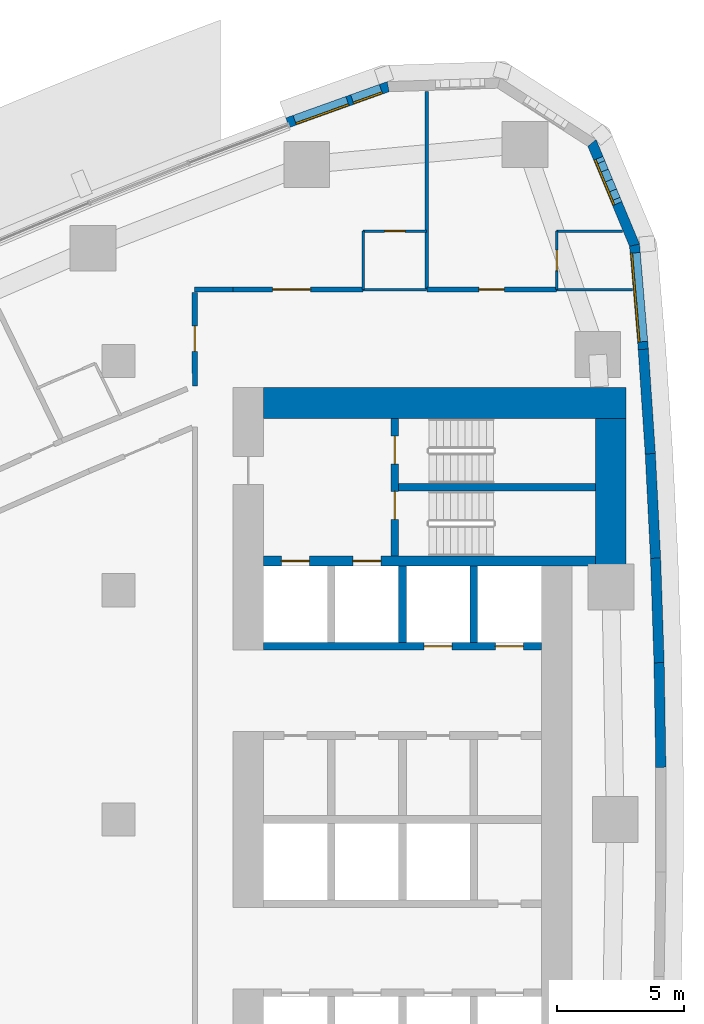
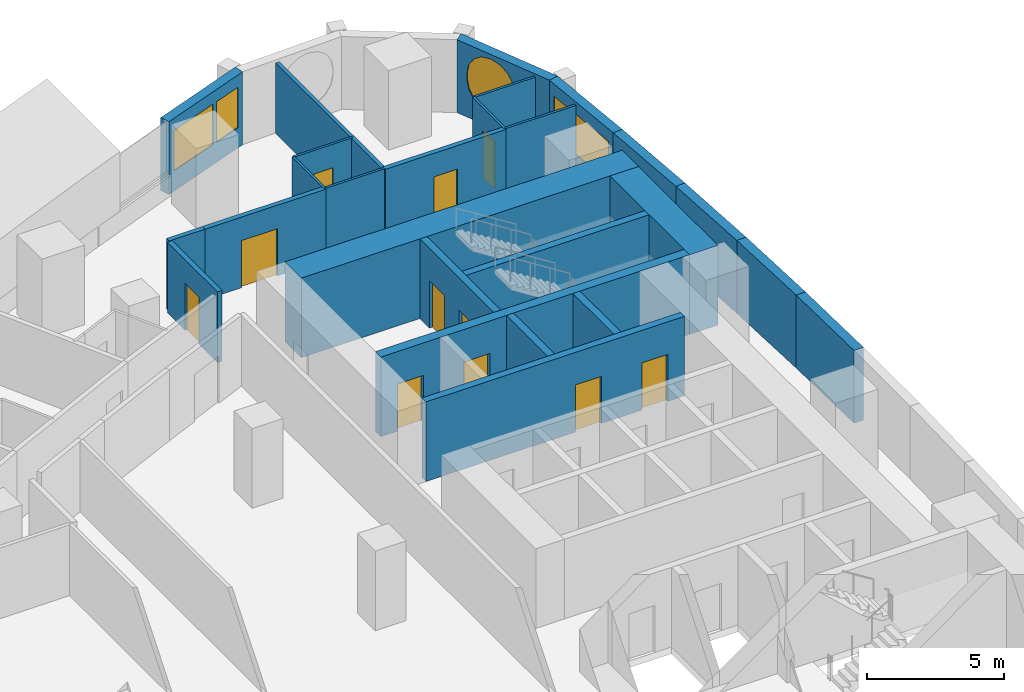
# One storey, part 13 of 19: 26 walls, 11 doors, 4 windows, 15 openings.
"""IFC4 building model written with IfcOpenShell, lengths in metres."""

from ifc_helpers import new_model, si_unit, direction, frame, frame_2d, origin, place, context, subcontext, project, spatial, polyline, rectangle, outline, extrude, material, layer, layer_set, type_object, element, fill, save


model = new_model("IFC4")

# Units and contexts
model_context = context("Model", 3, precision=1e-05, world=origin(), true_north=direction((0.0, 1.0)))
body_context = subcontext(model_context, "Body", "Model", "MODEL_VIEW")
ifc_project = project(units=[si_unit("LENGTHUNIT", "METRE"), si_unit("AREAUNIT", "SQUARE_METRE"), si_unit("VOLUMEUNIT", "CUBIC_METRE"), si_unit("PLANEANGLEUNIT", "RADIAN"), si_unit("MASSUNIT", "GRAM", prefix="KILO")], contexts=[model_context])

# Site, building, storey
site_placement = place(None, origin())
site = spatial("IfcSite", under=ifc_project, at=site_placement, CompositionType="ELEMENT")
building_placement = place(site_placement, origin())
building = spatial("IfcBuilding", under=site, at=building_placement, Name="Ostrand Prow Hotel Tower", CompositionType="ELEMENT")
storey_placement = place(building_placement, frame((0.0, 0.0, 71.550048828125)))
storey = spatial("IfcBuildingStorey", under=building, at=storey_placement, Name="L16", CompositionType="ELEMENT", Elevation=71.550048828125)

# Walls
ifc_material_1 = material(Name="Concrete C80/95", Category="concrete")
ifc_layer_1 = layer(ifc_material_1, 1.199951171875)
ifc_layer_set_1 = layer_set([ifc_layer_1], Name="Concrete C80/95")
wall_type_1 = type_object("IfcWallType", Name="Core wall 1200 C80/95", PredefinedType="SHEAR", material=ifc_layer_set_1)
wall_1_placement = place(storey_placement, frame((50.699951171875, 16.35009765625, 0.0), z_axis=(0.0, 0.0, 1.0), x_axis=(1.0, 0.0, 0.0)))
element("IfcWall", 1, at=wall_1_placement, inside=storey, type_object=wall_type_1, Name="Core wall CW-N", PredefinedType="SHEAR", context=body_context, shape_type="SweptSolid", body=[
    extrude(rectangle(XDim=14.219970703125, YDim=1.199951171875, at=frame_2d((7.10986328125, 0.0))), origin(), (0.0, 0.0, 1.0), 3.550048828125),
])
wall_2_placement = place(storey_placement, frame((64.320068359375, 9.949951171875, 0.0), z_axis=(0.0, 0.0, 1.0), x_axis=(0.0, 1.0, 0.0)))
element("IfcWall", 2, at=wall_2_placement, inside=storey, type_object=wall_type_1, Name="Core wall CW-E-N", PredefinedType="SHEAR", context=body_context, shape_type="SweptSolid", body=[
    extrude(rectangle(XDim=5.800048828125, YDim=1.199951171875, at=frame_2d((2.89990234375, 0.0))), origin(), (0.0, 0.0, 1.0), 3.550048828125),
])

# Wall, openings, doors
ifc_material_2 = material(Name="Concrete C80/95", Category="concrete")
ifc_layer_2 = layer(ifc_material_2, 0.300048828125)
ifc_layer_set_2 = layer_set([ifc_layer_2], Name="Concrete C80/95")
wall_type_2 = type_object("IfcWallType", Name="Core wall 300 C80/95", PredefinedType="SHEAR", material=ifc_layer_set_2)
wall_3_placement = place(storey_placement, frame((50.699951171875, 6.800048828125, 0.0), z_axis=(0.0, 0.0, 1.0), x_axis=(1.0, 0.0, 0.0)))
wall_3 = element("IfcWall", 3, at=wall_3_placement, inside=storey, type_object=wall_type_2, Name="Core wall PW-L2-N", PredefinedType="SHEAR", context=body_context, shape_type="SweptSolid", body=[
    extrude(rectangle(XDim=10.900146484375, YDim=0.300048828125, at=frame_2d((5.4501953125, 0.0))), origin(), (0.0, 0.0, 1.0), 3.550048828125),
])
opening_1_placement = place(wall_3_placement, frame((6.300048828125, 0.0, 0.0)))
opening_1 = element("IfcOpeningElement", 4, at=opening_1_placement, cuts=wall_3, Name="Opening LD", PredefinedType="OPENING", context=body_context, shape_type="SweptSolid", body=[
    extrude(rectangle(XDim=1.10009765625, YDim=2.10009765625, at=frame_2d((0.550048828125, 1.050048828125))), frame((0.0, 0.159912109375, 0.0), z_axis=(0.0, -1.0, 0.0), x_axis=(1.0, 0.0, 0.0)), (0.0, 0.0, 1.0), 0.320068359375),
])
opening_2_placement = place(wall_3_placement, frame((9.10009765625, 0.0, 0.0)))
opening_2 = element("IfcOpeningElement", 5, at=opening_2_placement, cuts=wall_3, Name="Opening LD", PredefinedType="OPENING", context=body_context, shape_type="SweptSolid", body=[
    extrude(rectangle(XDim=1.10009765625, YDim=2.10009765625, at=frame_2d((0.550048828125, 1.050048828125))), frame((0.0, 0.159912109375, 0.0), z_axis=(0.0, -1.0, 0.0), x_axis=(1.0, 0.0, 0.0)), (0.0, 0.0, 1.0), 0.320068359375),
])
ifc_material_3 = material(Name="Stainless steel door", Category="steel")
door_type_1 = type_object("IfcDoorType", Name="Lift landing door 1100", OperationType="DOUBLE_DOOR_SLIDING", PredefinedType="DOOR", material=ifc_material_3)
door_1_placement = place(opening_1_placement, origin())
door_1 = element("IfcDoor", 6, at=door_1_placement, inside=storey, type_object=door_type_1, Name="LIFT LANDING DOOR", OperationType="DOUBLE_DOOR_SLIDING", OverallHeight=2.10009765625, OverallWidth=1.10009765625, PredefinedType="DOOR", context=body_context, shape_type="SweptSolid", body=[
    extrude(rectangle(XDim=1.10009765625, YDim=2.10009765625, at=frame_2d((0.550048828125, 1.050048828125))), frame((0.0, 0.02490234375, 0.0), z_axis=(0.0, -1.0, 0.0), x_axis=(1.0, 0.0, 0.0)), (0.0, 0.0, 1.0), 0.050048828125),
])
fill(opening_1, door_1)
door_2_placement = place(opening_2_placement, origin())
door_2 = element("IfcDoor", 7, at=door_2_placement, inside=storey, type_object=door_type_1, Name="LIFT LANDING DOOR", OperationType="DOUBLE_DOOR_SLIDING", OverallHeight=2.10009765625, OverallWidth=1.10009765625, PredefinedType="DOOR", context=body_context, shape_type="SweptSolid", body=[
    extrude(rectangle(XDim=1.10009765625, YDim=2.10009765625, at=frame_2d((0.550048828125, 1.050048828125))), frame((0.0, 0.02490234375, 0.0), z_axis=(0.0, -1.0, 0.0), x_axis=(1.0, 0.0, 0.0)), (0.0, 0.0, 1.0), 0.050048828125),
])
fill(opening_2, door_2)

# Walls
for number, where, z_axis, x_axis, name in (
    (8, (56.14990234375, 6.949951171875, 0.0), (0.0, 0.0, 1.0), (0.0, 1.0, 0.0), "Core wall PW-R2-NA"),
    (9, (58.949951171875, 6.949951171875, 0.0), (0.0, 0.0, 1.0), (0.0, 1.0, 0.0), "Core wall PW-R3-NA"),
):
    element("IfcWall", number, at=place(storey_placement, frame(where, z_axis=z_axis, x_axis=x_axis)), inside=storey, type_object=wall_type_2, Name=name, PredefinedType="SHEAR", context=body_context, shape_type="SweptSolid", body=[
        extrude(rectangle(XDim=3.0, YDim=0.300048828125, at=frame_2d((1.5, 0.0))), origin(), (0.0, 0.0, 1.0), 3.550048828125),
    ])

# Wall, openings, doors
wall_4_placement = place(storey_placement, frame((55.85009765625, 10.35009765625, 0.0), z_axis=(0.0, 0.0, 1.0), x_axis=(0.0, 1.0, 0.0)))
wall_4 = element("IfcWall", 10, at=wall_4_placement, inside=storey, type_object=wall_type_2, Name="Core wall PW-VN", PredefinedType="SHEAR", context=body_context, shape_type="SweptSolid", body=[
    extrude(rectangle(XDim=5.39990234375, YDim=0.300048828125, at=frame_2d((2.699951171875, 0.0))), origin(), (0.0, 0.0, 1.0), 3.550048828125),
])
opening_3_placement = place(wall_4_placement, frame((1.429931640625, 0.0, 0.0)))
opening_3 = element("IfcOpeningElement", 11, at=opening_3_placement, cuts=wall_4, Name="Opening FD1", PredefinedType="OPENING", context=body_context, shape_type="SweptSolid", body=[
    extrude(rectangle(XDim=1.10009765625, YDim=2.10009765625, at=frame_2d((0.550048828125, 1.050048828125))), frame((0.0, 0.159912109375, 0.0), z_axis=(0.0, -1.0, 0.0), x_axis=(1.0, 0.0, 0.0)), (0.0, 0.0, 1.0), 0.320068359375),
])
opening_4_placement = place(wall_4_placement, frame((3.60009765625, 0.0, 0.0)))
opening_4 = element("IfcOpeningElement", 12, at=opening_4_placement, cuts=wall_4, Name="Opening FD1", PredefinedType="OPENING", context=body_context, shape_type="SweptSolid", body=[
    extrude(rectangle(XDim=1.10009765625, YDim=2.10009765625, at=frame_2d((0.550048828125, 1.050048828125))), frame((0.0, 0.159912109375, 0.0), z_axis=(0.0, -1.0, 0.0), x_axis=(1.0, 0.0, 0.0)), (0.0, 0.0, 1.0), 0.320068359375),
])
ifc_material_4 = material(Name="Steel fire door", Category="steel")
door_type_2 = type_object("IfcDoorType", Name="Fire door 1100 EI120", OperationType="SINGLE_SWING_RIGHT", PredefinedType="DOOR", material=ifc_material_4)
door_3_placement = place(opening_3_placement, origin())
door_3 = element("IfcDoor", 13, at=door_3_placement, inside=storey, type_object=door_type_2, Name="FIRE DOOR", OperationType="SINGLE_SWING_RIGHT", OverallHeight=2.10009765625, OverallWidth=1.10009765625, PredefinedType="DOOR", context=body_context, shape_type="SweptSolid", body=[
    extrude(rectangle(XDim=1.10009765625, YDim=2.10009765625, at=frame_2d((0.550048828125, 1.050048828125))), frame((0.0, 0.02490234375, 0.0), z_axis=(0.0, -1.0, 0.0), x_axis=(1.0, 0.0, 0.0)), (0.0, 0.0, 1.0), 0.050048828125),
])
fill(opening_3, door_3)
door_4_placement = place(opening_4_placement, origin())
door_4 = element("IfcDoor", 14, at=door_4_placement, inside=storey, type_object=door_type_2, Name="FIRE DOOR", OperationType="SINGLE_SWING_RIGHT", OverallHeight=2.10009765625, OverallWidth=1.10009765625, PredefinedType="DOOR", context=body_context, shape_type="SweptSolid", body=[
    extrude(rectangle(XDim=1.10009765625, YDim=2.10009765625, at=frame_2d((0.550048828125, 1.050048828125))), frame((0.0, 0.02490234375, 0.0), z_axis=(0.0, -1.0, 0.0), x_axis=(1.0, 0.0, 0.0)), (0.0, 0.0, 1.0), 0.050048828125),
])
fill(opening_4, door_4)

# Wall
wall_5_placement = place(storey_placement, frame((56.0, 13.050048828125, 0.0), z_axis=(0.0, 0.0, 1.0), x_axis=(1.0, 0.0, 0.0)))
element("IfcWall", 15, at=wall_5_placement, inside=storey, type_object=wall_type_2, Name="Core wall PW-ST13", PredefinedType="SHEAR", context=body_context, shape_type="SweptSolid", body=[
    extrude(rectangle(XDim=7.719970703125, YDim=0.300048828125, at=frame_2d((3.85986328125, 0.0))), origin(), (0.0, 0.0, 1.0), 3.550048828125),
])

# Wall, openings, doors
ifc_material_5 = material(Name="Concrete C80/95", Category="concrete")
ifc_layer_3 = layer(ifc_material_5, 0.39990234375)
ifc_layer_set_3 = layer_set([ifc_layer_3], Name="Concrete C80/95")
wall_type_3 = type_object("IfcWallType", Name="Core wall 400 C80/95", PredefinedType="SHEAR", material=ifc_layer_set_3)
wall_6_placement = place(storey_placement, frame((50.699951171875, 10.14990234375, 0.0), z_axis=(0.0, 0.0, 1.0), x_axis=(1.0, 0.0, 0.0)))
wall_6 = element("IfcWall", 16, at=wall_6_placement, inside=storey, type_object=wall_type_3, Name="Core wall PW-BN", PredefinedType="SHEAR", context=body_context, shape_type="SweptSolid", body=[
    extrude(rectangle(XDim=13.02001953125, YDim=0.39990234375, at=frame_2d((6.510009765625, 0.0))), origin(), (0.0, 0.0, 1.0), 3.550048828125),
])
opening_5_placement = place(wall_6_placement, frame((0.699951171875, 0.0, 0.0)))
opening_5 = element("IfcOpeningElement", 17, at=opening_5_placement, cuts=wall_6, Name="Opening LD", PredefinedType="OPENING", context=body_context, shape_type="SweptSolid", body=[
    extrude(rectangle(XDim=1.10009765625, YDim=2.10009765625, at=frame_2d((0.550048828125, 1.050048828125))), frame((0.0, 0.2099609375, 0.0), z_axis=(0.0, -1.0, 0.0), x_axis=(1.0, 0.0, 0.0)), (0.0, 0.0, 1.0), 0.419921875),
])
opening_6_placement = place(wall_6_placement, frame((3.5, 0.0, 0.0)))
opening_6 = element("IfcOpeningElement", 18, at=opening_6_placement, cuts=wall_6, Name="Opening LD", PredefinedType="OPENING", context=body_context, shape_type="SweptSolid", body=[
    extrude(rectangle(XDim=1.10009765625, YDim=2.10009765625, at=frame_2d((0.550048828125, 1.050048828125))), frame((0.0, 0.2099609375, 0.0), z_axis=(0.0, -1.0, 0.0), x_axis=(1.0, 0.0, 0.0)), (0.0, 0.0, 1.0), 0.419921875),
])
door_5_placement = place(opening_5_placement, origin())
door_5 = element("IfcDoor", 19, at=door_5_placement, inside=storey, type_object=door_type_1, Name="LIFT LANDING DOOR", OperationType="DOUBLE_DOOR_SLIDING", OverallHeight=2.10009765625, OverallWidth=1.10009765625, PredefinedType="DOOR", context=body_context, shape_type="SweptSolid", body=[
    extrude(rectangle(XDim=1.10009765625, YDim=2.10009765625, at=frame_2d((0.550048828125, 1.050048828125))), frame((0.0, 0.02490234375, 0.0), z_axis=(0.0, -1.0, 0.0), x_axis=(1.0, 0.0, 0.0)), (0.0, 0.0, 1.0), 0.050048828125),
])
fill(opening_5, door_5)
door_6_placement = place(opening_6_placement, origin())
door_6 = element("IfcDoor", 20, at=door_6_placement, inside=storey, type_object=door_type_1, Name="LIFT LANDING DOOR", OperationType="DOUBLE_DOOR_SLIDING", OverallHeight=2.10009765625, OverallWidth=1.10009765625, PredefinedType="DOOR", context=body_context, shape_type="SweptSolid", body=[
    extrude(rectangle(XDim=1.10009765625, YDim=2.10009765625, at=frame_2d((0.550048828125, 1.050048828125))), frame((0.0, 0.02490234375, 0.0), z_axis=(0.0, -1.0, 0.0), x_axis=(1.0, 0.0, 0.0)), (0.0, 0.0, 1.0), 0.050048828125),
])
fill(opening_6, door_6)

# Wall
ifc_material_6 = material(Name="Plasterboard partition")
ifc_layer_4 = layer(ifc_material_6, 0.10009765625)
ifc_layer_set_4 = layer_set([ifc_layer_4], Name="Plasterboard partition")
wall_type_4 = type_object("IfcWallType", Name="Partition 100 bathroom wall", PredefinedType="PARTITIONING", material=ifc_layer_set_4)
wall_7_placement = place(storey_placement, frame((54.601806640625, 20.800048828125, 0.0), z_axis=(0.0, 0.0, 1.0), x_axis=(0.0, 1.0, 0.0)))
element("IfcWall", 21, at=wall_7_placement, inside=storey, type_object=wall_type_4, Name="BATHROOM WALL", PredefinedType="PARTITIONING", context=body_context, shape_type="SweptSolid", body=[
    extrude(rectangle(XDim=2.300048828125, YDim=0.10009765625, at=frame_2d((1.14990234375, 0.0))), origin(), (0.0, 0.0, 1.0), 3.14990234375),
])

# Wall, opening, door
wall_8_placement = place(storey_placement, frame((54.601806640625, 23.10009765625, 0.0), z_axis=(0.0, 0.0, 1.0), x_axis=(1.0, 0.0, 0.0)))
wall_8 = element("IfcWall", 22, at=wall_8_placement, inside=storey, type_object=wall_type_4, Name="BATHROOM WALL", PredefinedType="PARTITIONING", context=body_context, shape_type="SweptSolid", body=[
    extrude(rectangle(XDim=2.5, YDim=0.10009765625, at=frame_2d((1.25, 0.0))), origin(), (0.0, 0.0, 1.0), 3.14990234375),
])
opening_7_placement = place(wall_8_placement, frame((0.85009765625, 0.0, 0.0)))
opening_7 = element("IfcOpeningElement", 23, at=opening_7_placement, cuts=wall_8, Name="Opening D2", PredefinedType="OPENING", context=body_context, shape_type="SweptSolid", body=[
    extrude(rectangle(XDim=0.800048828125, YDim=2.10009765625, at=frame_2d((0.39990234375, 1.050048828125))), frame((0.0, 0.06005859375, 0.0), z_axis=(0.0, -1.0, 0.0), x_axis=(1.0, 0.0, 0.0)), (0.0, 0.0, 1.0), 0.1201171875),
])
ifc_material_7 = material(Name="Timber door leaf", Category="wood")
door_type_3 = type_object("IfcDoorType", Name="Bathroom door 800", OperationType="SINGLE_SWING_LEFT", PredefinedType="DOOR", material=ifc_material_7)
door_7_placement = place(opening_7_placement, origin())
door_7 = element("IfcDoor", 24, at=door_7_placement, inside=storey, type_object=door_type_3, Name="DOOR", OperationType="SINGLE_SWING_LEFT", OverallHeight=2.10009765625, OverallWidth=0.800048828125, PredefinedType="DOOR", context=body_context, shape_type="SweptSolid", body=[
    extrude(rectangle(XDim=0.800048828125, YDim=2.10009765625, at=frame_2d((0.39990234375, 1.050048828125))), frame((0.0, 0.02490234375, 0.0), z_axis=(0.0, -1.0, 0.0), x_axis=(1.0, 0.0, 0.0)), (0.0, 0.0, 1.0), 0.050048828125),
])
fill(opening_7, door_7)

wall_9_placement = place(storey_placement, frame((62.203369140625, 20.800048828125, 0.0), z_axis=(0.0, 0.0, 1.0), x_axis=(0.0, 1.0, 0.0)))
wall_9 = element("IfcWall", 25, at=wall_9_placement, inside=storey, type_object=wall_type_4, Name="BATHROOM WALL", PredefinedType="PARTITIONING", context=body_context, shape_type="SweptSolid", body=[
    extrude(rectangle(XDim=2.300048828125, YDim=0.10009765625, at=frame_2d((1.14990234375, 0.0))), origin(), (0.0, 0.0, 1.0), 3.14990234375),
])
opening_8_placement = place(wall_9_placement, frame((0.75, 0.0, 0.0)))
opening_8 = element("IfcOpeningElement", 26, at=opening_8_placement, cuts=wall_9, Name="Opening D2", PredefinedType="OPENING", context=body_context, shape_type="SweptSolid", body=[
    extrude(rectangle(XDim=0.800048828125, YDim=2.10009765625, at=frame_2d((0.39990234375, 1.050048828125))), frame((0.0, 0.06005859375, 0.0), z_axis=(0.0, -1.0, 0.0), x_axis=(1.0, 0.0, 0.0)), (0.0, 0.0, 1.0), 0.1201171875),
])
door_8_placement = place(opening_8_placement, origin())
door_8 = element("IfcDoor", 27, at=door_8_placement, inside=storey, type_object=door_type_3, Name="DOOR", OperationType="SINGLE_SWING_LEFT", OverallHeight=2.10009765625, OverallWidth=0.800048828125, PredefinedType="DOOR", context=body_context, shape_type="SweptSolid", body=[
    extrude(rectangle(XDim=0.800048828125, YDim=2.10009765625, at=frame_2d((0.39990234375, 1.050048828125))), frame((0.0, 0.02490234375, 0.0), z_axis=(0.0, -1.0, 0.0), x_axis=(1.0, 0.0, 0.0)), (0.0, 0.0, 1.0), 0.050048828125),
])
fill(opening_8, door_8)

# Walls
wall_10_placement = place(storey_placement, frame((62.203369140625, 23.10009765625, 0.0), z_axis=(0.0, 0.0, 1.0), x_axis=(1.0, 0.0, 0.0)))
element("IfcWall", 28, at=wall_10_placement, inside=storey, type_object=wall_type_4, Name="BATHROOM WALL", PredefinedType="PARTITIONING", context=body_context, shape_type="SweptSolid", body=[
    extrude(rectangle(XDim=2.578125, YDim=0.10009765625, at=frame_2d((1.2890625, 0.0))), origin(), (0.0, 0.0, 1.0), 3.14990234375),
])
wall_11_placement = place(storey_placement, frame((57.101806640625, 20.804931640625, 0.0), z_axis=(0.0, 0.0, 1.0), x_axis=(-1.0, 0.0, 0.0)))
element("IfcWall", 29, at=wall_11_placement, inside=storey, type_object=wall_type_4, Name="BATHROOM WALL", PredefinedType="PARTITIONING", context=body_context, shape_type="SweptSolid", body=[
    extrude(rectangle(XDim=2.5, YDim=0.10009765625, at=frame_2d((1.25, 0.0))), origin(), (0.0, 0.0, 1.0), 3.14990234375),
])
wall_12_placement = place(storey_placement, frame((65.174560546875, 20.804931640625, 0.0), z_axis=(0.0, 0.0, 1.0), x_axis=(-1.0, 0.0, 0.0)))
element("IfcWall", 30, at=wall_12_placement, inside=storey, type_object=wall_type_4, Name="BATHROOM WALL", PredefinedType="PARTITIONING", context=body_context, shape_type="SweptSolid", body=[
    extrude(rectangle(XDim=2.97119140625, YDim=0.10009765625, at=frame_2d((1.485595703125, 0.0))), origin(), (0.0, 0.0, 1.0), 3.14990234375),
])
ifc_material_8 = material(Name="Plasterboard partition")
ifc_layer_5 = layer(ifc_material_8, 0.14990234375)
ifc_layer_set_5 = layer_set([ifc_layer_5], Name="Plasterboard partition")
wall_type_5 = type_object("IfcWallType", Name="Partition 150 room partition", PredefinedType="PARTITIONING", material=ifc_layer_set_5)
wall_13_placement = place(storey_placement, frame((57.101806640625, 20.800048828125, 0.0), z_axis=(0.0, 0.0, 1.0), x_axis=(0.0, 1.0, 0.0)))
element("IfcWall", 31, at=wall_13_placement, inside=storey, type_object=wall_type_5, Name="ROOM PARTITION", PredefinedType="PARTITIONING", context=body_context, shape_type="SweptSolid", body=[
    extrude(rectangle(XDim=7.786865234375, YDim=0.14990234375, at=frame_2d((3.8935546875, 0.0))), origin(), (0.0, 0.0, 1.0), 3.14990234375),
])

# Wall, opening, door
ifc_material_9 = material(Name="Plasterboard partition")
ifc_layer_6 = layer(ifc_material_9, 0.199951171875)
ifc_layer_set_6 = layer_set([ifc_layer_6], Name="Plasterboard partition")
wall_type_6 = type_object("IfcWallType", Name="Partition 200 corridor wall", PredefinedType="PARTITIONING", material=ifc_layer_set_6)
wall_14_placement = place(storey_placement, frame((54.5966796875, 20.804931640625, 0.0), z_axis=(0.0, 0.0, 1.0), x_axis=(-1.0, 0.0, 0.0)))
wall_14 = element("IfcWall", 32, at=wall_14_placement, inside=storey, type_object=wall_type_6, Name="CORRIDOR WALL", PredefinedType="PARTITIONING", context=body_context, shape_type="SweptSolid", body=[
    extrude(rectangle(XDim=5.0966796875, YDim=0.199951171875, at=frame_2d((2.54833984375, 0.0))), origin(), (0.0, 0.0, 1.0), 3.14990234375),
])
opening_9_placement = place(wall_14_placement, frame((2.04833984375, 0.0, 0.0)))
opening_9 = element("IfcOpeningElement", 33, at=opening_9_placement, cuts=wall_14, Name="Opening D15", PredefinedType="OPENING", context=body_context, shape_type="SweptSolid", body=[
    extrude(rectangle(XDim=1.5, YDim=2.10009765625, at=frame_2d((0.75, 1.050048828125))), frame((0.0, 0.10986328125, 0.0), z_axis=(0.0, -1.0, 0.0), x_axis=(1.0, 0.0, 0.0)), (0.0, 0.0, 1.0), 0.219970703125),
])
ifc_material_10 = material(Name="Timber door leaf", Category="wood")
door_type_4 = type_object("IfcDoorType", Name="Double door 1500", OperationType="DOUBLE_DOOR_SINGLE_SWING", PredefinedType="DOOR", material=ifc_material_10)
door_9_placement = place(opening_9_placement, origin())
door_9 = element("IfcDoor", 34, at=door_9_placement, inside=storey, type_object=door_type_4, Name="DOOR", OperationType="DOUBLE_DOOR_SINGLE_SWING", OverallHeight=2.10009765625, OverallWidth=1.5, PredefinedType="DOOR", context=body_context, shape_type="SweptSolid", body=[
    extrude(rectangle(XDim=1.5, YDim=2.10009765625, at=frame_2d((0.75, 1.050048828125))), frame((0.0, 0.02490234375, 0.0), z_axis=(0.0, -1.0, 0.0), x_axis=(1.0, 0.0, 0.0)), (0.0, 0.0, 1.0), 0.050048828125),
])
fill(opening_9, door_9)

wall_15_placement = place(storey_placement, frame((62.1982421875, 20.804931640625, 0.0), z_axis=(0.0, 0.0, 1.0), x_axis=(-1.0, 0.0, 0.0)))
wall_15 = element("IfcWall", 35, at=wall_15_placement, inside=storey, type_object=wall_type_6, Name="CORRIDOR WALL", PredefinedType="PARTITIONING", context=body_context, shape_type="SweptSolid", body=[
    extrude(rectangle(XDim=5.091552734375, YDim=0.199951171875, at=frame_2d((2.5458984375, 0.0))), origin(), (0.0, 0.0, 1.0), 3.14990234375),
])
opening_10_placement = place(wall_15_placement, frame((2.0458984375, 0.0, 0.0)))
opening_10 = element("IfcOpeningElement", 36, at=opening_10_placement, cuts=wall_15, Name="Opening D1", PredefinedType="OPENING", context=body_context, shape_type="SweptSolid", body=[
    extrude(rectangle(XDim=1.0, YDim=2.10009765625, at=frame_2d((0.5, 1.050048828125))), frame((0.0, 0.10986328125, 0.0), z_axis=(0.0, -1.0, 0.0), x_axis=(1.0, 0.0, 0.0)), (0.0, 0.0, 1.0), 0.219970703125),
])
ifc_material_11 = material(Name="Timber door leaf", Category="wood")
door_type_5 = type_object("IfcDoorType", Name="Guest room door 1000", OperationType="SINGLE_SWING_LEFT", PredefinedType="DOOR", material=ifc_material_11)
door_10_placement = place(opening_10_placement, origin())
door_10 = element("IfcDoor", 37, at=door_10_placement, inside=storey, type_object=door_type_5, Name="DOOR", OperationType="SINGLE_SWING_LEFT", OverallHeight=2.10009765625, OverallWidth=1.0, PredefinedType="DOOR", context=body_context, shape_type="SweptSolid", body=[
    extrude(rectangle(XDim=1.0, YDim=2.10009765625, at=frame_2d((0.5, 1.050048828125))), frame((0.0, 0.02490234375, 0.0), z_axis=(0.0, -1.0, 0.0), x_axis=(1.0, 0.0, 0.0)), (0.0, 0.0, 1.0), 0.050048828125),
])
fill(opening_10, door_10)

# Wall
wall_16_placement = place(storey_placement, frame((49.5, 20.804931640625, 0.0), z_axis=(0.0, 0.0, 1.0), x_axis=(-0.999998104399, -0.001947099992, 0.0)))
element("IfcWall", 38, at=wall_16_placement, inside=storey, type_object=wall_type_6, Name="CORRIDOR WALL", PredefinedType="PARTITIONING", context=body_context, shape_type="SweptSolid", body=[
    extrude(rectangle(XDim=1.504638671875, YDim=0.199951171875, at=frame_2d((0.75244140625, 0.0))), origin(), (0.0, 0.0, 1.0), 3.14990234375),
])

# Wall, opening, door
wall_17_placement = place(storey_placement, frame((47.99560546875, 20.681884765625, 0.0), z_axis=(0.0, 0.0, 1.0), x_axis=(0.000866955326, -0.999999624194, 0.0)))
wall_17 = element("IfcWall", 39, at=wall_17_placement, inside=storey, type_object=wall_type_6, Name="CORRIDOR WALL", PredefinedType="PARTITIONING", context=body_context, shape_type="SweptSolid", body=[
    extrude(rectangle(XDim=3.660888671875, YDim=0.199951171875, at=frame_2d((1.83056640625, 0.0))), origin(), (0.0, 0.0, 1.0), 3.14990234375),
])
opening_11_placement = place(wall_17_placement, frame((1.300048828125, 0.0, 0.0)))
opening_11 = element("IfcOpeningElement", 40, at=opening_11_placement, cuts=wall_17, Name="Opening D1R", PredefinedType="OPENING", context=body_context, shape_type="SweptSolid", body=[
    extrude(rectangle(XDim=1.0, YDim=2.10009765625, at=frame_2d((0.5, 1.050048828125))), frame((0.0, 0.10986328125, 0.0), z_axis=(0.0, -1.0, 0.0), x_axis=(1.0, 0.0, 0.0)), (0.0, 0.0, 1.0), 0.219970703125),
])
ifc_material_12 = material(Name="Timber door leaf", Category="wood")
door_type_6 = type_object("IfcDoorType", Name="Guest room door 1000 right", OperationType="SINGLE_SWING_RIGHT", PredefinedType="DOOR", material=ifc_material_12)
door_11_placement = place(opening_11_placement, origin())
door_11 = element("IfcDoor", 41, at=door_11_placement, inside=storey, type_object=door_type_6, Name="DOOR", OperationType="SINGLE_SWING_RIGHT", OverallHeight=2.10009765625, OverallWidth=1.0, PredefinedType="DOOR", context=body_context, shape_type="SweptSolid", body=[
    extrude(rectangle(XDim=1.0, YDim=2.10009765625, at=frame_2d((0.5, 1.050048828125))), frame((0.0, 0.02490234375, 0.0), z_axis=(0.0, -1.0, 0.0), x_axis=(1.0, 0.0, 0.0)), (0.0, 0.0, 1.0), 0.050048828125),
])
fill(opening_11, door_11)

# Walls
ifc_material_13 = material(Name="Precast concrete C40/50", Category="concrete")
ifc_layer_7 = layer(ifc_material_13, 0.39990234375)
ifc_layer_set_7 = layer_set([ifc_layer_7], Name="Precast concrete C40/50")
wall_type_7 = type_object("IfcWallType", Name="Stone-faced precast wall 400 mm", PredefinedType="NOTDEFINED", material=ifc_layer_set_7)
for number, where, z_axis, x_axis, name in (
    (42, (66.29150390625, 2.052490234375, 0.0), (0.0, 0.0, 1.0), (-0.016830829972, 0.999858351549, 0.0), "Stone-faced wall back 11"),
    (43, (66.222412109375, 6.156982421875, 0.0), (0.0, 0.0, 1.0), (-0.033542554696, 0.999437290191, 0.0), "Stone-faced wall back 12"),
    (44, (66.084716796875, 10.259765625, 0.0), (0.0, 0.0, 1.0), (-0.050314326423, 0.998733432181, 0.0), "Stone-faced wall back 13"),
    (45, (65.878173828125, 14.359619140625, 0.0), (0.0, 0.0, 1.0), (-0.067087430225, 0.997747100575, 0.0), "Stone-faced wall back 14"),
):
    element("IfcWall", number, at=place(storey_placement, frame(where, z_axis=z_axis, x_axis=x_axis)), inside=storey, type_object=wall_type_7, Name=name, PredefinedType="NOTDEFINED", context=body_context, shape_type="SweptSolid", body=[
        extrude(outline(polyline([(-0.001708984375, -0.199951171875), (4.106689453125, -0.199951171875), (4.103271484375, 0.199951171875), (0.001708984375, 0.199951171875), (-0.001708984375, -0.199951171875)])), origin(), (0.0, 0.0, 1.0), 3.25),
    ])

# Wall, opening, window
wall_18_placement = place(storey_placement, frame((65.602783203125, 18.455322265625, 0.0), z_axis=(0.0, 0.0, 1.0), x_axis=(-0.083793550906, 0.996483136248, 0.0)))
wall_18 = element("IfcWall", 46, at=wall_18_placement, inside=storey, type_object=wall_type_7, Name="Stone-faced wall back 15", PredefinedType="NOTDEFINED", context=body_context, shape_type="SweptSolid", body=[
    extrude(outline(polyline([(-0.001708984375, -0.199951171875), (4.136474609375, -0.199951171875), (4.073974609375, 0.199951171875), (0.001708984375, 0.199951171875), (-0.001708984375, -0.199951171875)])), origin(), (0.0, 0.0, 1.0), 3.25),
])
opening_12_placement = place(wall_18_placement, frame((0.302490234375, 0.0, 0.89990234375)))
opening_12 = element("IfcOpeningElement", 47, at=opening_12_placement, cuts=wall_18, Name="Opening WS3-35", PredefinedType="OPENING", context=body_context, shape_type="SweptSolid", body=[
    extrude(rectangle(XDim=3.5, YDim=1.800048828125, at=frame_2d((1.75, 0.89990234375))), frame((0.0, 0.2099609375, 0.0), z_axis=(0.0, -1.0, 0.0), x_axis=(1.0, 0.0, 0.0)), (0.0, 0.0, 1.0), 0.419921875),
])
ifc_material_14 = material(Name="Insulated glass in bronze frame", Category="glass")
window_type_1 = type_object("IfcWindowType", Name="Strip window 3500x1800", PartitioningType="SINGLE_PANEL", PredefinedType="WINDOW", material=ifc_material_14)
window_1_placement = place(opening_12_placement, origin())
window_1 = element("IfcWindow", 48, at=window_1_placement, inside=storey, type_object=window_type_1, Name="Window back 15.1", OverallHeight=1.800048828125, OverallWidth=3.5, PartitioningType="SINGLE_PANEL", PredefinedType="WINDOW", context=body_context, shape_type="SweptSolid", body=[
    extrude(rectangle(XDim=3.5, YDim=1.800048828125, at=frame_2d((1.75, 0.89990234375))), frame((0.0, 0.169921875, 0.0), z_axis=(0.0, -1.0, 0.0), x_axis=(1.0, 0.0, 0.0)), (0.0, 0.0, 1.0), 0.06005859375),
])
fill(opening_12, window_1)

wall_19_placement = place(storey_placement, frame((65.2587890625, 22.546142578125, 0.0), z_axis=(0.0, 0.0, 1.0), x_axis=(-0.384372042685, 0.923178277908, 0.0)))
wall_19 = element("IfcWall", 49, at=wall_19_placement, inside=storey, type_object=wall_type_7, Name="Stone-faced wall back 16", PredefinedType="NOTDEFINED", context=body_context, shape_type="SweptSolid", body=[
    extrude(outline(polyline([(-0.03125, -0.199951171875), (4.408203125, -0.199951171875), (4.283203125, 0.199951171875), (0.03125, 0.199951171875), (-0.03125, -0.199951171875)])), origin(), (0.0, 0.0, 1.0), 3.25),
])
opening_13_placement = place(wall_19_placement, frame((1.630615234375, 0.0, 0.60009765625)))
opening_13 = element("IfcOpeningElement", 50, at=opening_13_placement, cuts=wall_19, Name="Opening WP1", PredefinedType="OPENING", context=body_context, shape_type="SweptSolid", body=[
    extrude(outline(polyline([(0.0, 1.35009765625), (0.083740234375, 1.77099609375), (0.322265625, 2.127685546875), (0.678955078125, 2.3662109375), (1.10009765625, 2.449951171875), (1.52099609375, 2.3662109375), (1.877685546875, 2.127685546875), (2.1162109375, 1.77099609375), (2.199951171875, 1.35009765625), (2.199951171875, 1.10009765625), (2.1162109375, 0.678955078125), (1.877685546875, 0.322265625), (1.52099609375, 0.083740234375), (1.10009765625, 0.0), (0.678955078125, 0.083740234375), (0.322265625, 0.322265625), (0.083740234375, 0.678955078125), (0.0, 1.099853515625), (0.0, 1.35009765625)])), frame((0.0, 0.2099609375, 0.0), z_axis=(0.0, -1.0, 0.0), x_axis=(1.0, 0.0, 0.0)), (0.0, 0.0, 1.0), 0.419921875),
])
ifc_material_15 = material(Name="Insulated glass in bronze frame", Category="glass")
window_type_2 = type_object("IfcWindowType", Name="Round-ended prow window 2200x2450", PartitioningType="SINGLE_PANEL", PredefinedType="WINDOW", material=ifc_material_15)
window_2_placement = place(opening_13_placement, origin())
window_2 = element("IfcWindow", 51, at=window_2_placement, inside=storey, type_object=window_type_2, Name="Window back 16.1", OverallHeight=2.449951171875, OverallWidth=2.199951171875, PartitioningType="SINGLE_PANEL", PredefinedType="WINDOW", context=body_context, shape_type="SweptSolid", body=[
    extrude(outline(polyline([(0.0, 1.35009765625), (0.083740234375, 1.77099609375), (0.322265625, 2.127685546875), (0.678955078125, 2.3662109375), (1.10009765625, 2.449951171875), (1.52099609375, 2.3662109375), (1.877685546875, 2.127685546875), (2.1162109375, 1.77099609375), (2.199951171875, 1.35009765625), (2.199951171875, 1.10009765625), (2.1162109375, 0.678955078125), (1.877685546875, 0.322265625), (1.52099609375, 0.083740234375), (1.10009765625, 0.0), (0.678955078125, 0.083740234375), (0.322265625, 0.322265625), (0.083740234375, 0.678955078125), (0.0, 1.099853515625), (0.0, 1.35009765625)])), frame((0.0, 0.169921875, 0.0), z_axis=(0.0, -1.0, 0.0), x_axis=(1.0, 0.0, 0.0)), (0.0, 0.0, 1.0), 0.06005859375),
])
fill(opening_13, window_2)

# Wall, openings, windows
wall_20_placement = place(storey_placement, frame((55.58984375, 28.767578125, 0.0), z_axis=(0.0, 0.0, 1.0), x_axis=(-0.941339752885, -0.337460323057, 0.0)))
wall_20 = element("IfcWall", 52, at=wall_20_placement, inside=storey, type_object=wall_type_7, Name="Stone-faced wall back 19", PredefinedType="NOTDEFINED", context=body_context, shape_type="SweptSolid", body=[
    extrude(outline(polyline([(-0.031494140625, -0.199951171875), (4.196044921875, -0.199951171875), (4.196044921875, 0.199951171875), (0.031494140625, 0.199951171875), (-0.031494140625, -0.199951171875)])), origin(), (0.0, 0.0, 1.0), 3.25),
])
opening_14_placement = place(wall_20_placement, frame((0.298095703125, 0.0, 0.89990234375)))
opening_14 = element("IfcOpeningElement", 53, at=opening_14_placement, cuts=wall_20, Name="Opening WS4", PredefinedType="OPENING", context=body_context, shape_type="SweptSolid", body=[
    extrude(rectangle(XDim=1.199951171875, YDim=1.800048828125, at=frame_2d((0.60009765625, 0.89990234375))), frame((0.0, 0.2099609375, 0.0), z_axis=(0.0, -1.0, 0.0), x_axis=(1.0, 0.0, 0.0)), (0.0, 0.0, 1.0), 0.419921875),
])
opening_15_placement = place(wall_20_placement, frame((1.697998046875, 0.0, 0.89990234375)))
opening_15 = element("IfcOpeningElement", 54, at=opening_15_placement, cuts=wall_20, Name="Opening WS5-22", PredefinedType="OPENING", context=body_context, shape_type="SweptSolid", body=[
    extrude(rectangle(XDim=2.199951171875, YDim=1.800048828125, at=frame_2d((1.10009765625, 0.89990234375))), frame((0.0, 0.2099609375, 0.0), z_axis=(0.0, -1.0, 0.0), x_axis=(1.0, 0.0, 0.0)), (0.0, 0.0, 1.0), 0.419921875),
])
ifc_material_16 = material(Name="Insulated glass in bronze frame", Category="glass")
window_type_3 = type_object("IfcWindowType", Name="Fixed strip window 2200x1800", PartitioningType="SINGLE_PANEL", PredefinedType="WINDOW", material=ifc_material_16)
window_3_placement = place(opening_15_placement, origin())
window_3 = element("IfcWindow", 55, at=window_3_placement, inside=storey, type_object=window_type_3, Name="Window back 19.2", OverallHeight=1.800048828125, OverallWidth=2.199951171875, PartitioningType="SINGLE_PANEL", PredefinedType="WINDOW", context=body_context, shape_type="SweptSolid", body=[
    extrude(rectangle(XDim=2.199951171875, YDim=1.800048828125, at=frame_2d((1.10009765625, 0.89990234375))), frame((0.0, 0.169921875, 0.0), z_axis=(0.0, -1.0, 0.0), x_axis=(1.0, 0.0, 0.0)), (0.0, 0.0, 1.0), 0.06005859375),
])
fill(opening_15, window_3)
ifc_material_17 = material(Name="Insulated glass in bronze frame", Category="glass")
window_type_4 = type_object("IfcWindowType", Name="Operable strip panel 1200x1800", PartitioningType="SINGLE_PANEL", PredefinedType="WINDOW", material=ifc_material_17)
window_4_placement = place(opening_14_placement, origin())
window_4 = element("IfcWindow", 56, at=window_4_placement, inside=storey, type_object=window_type_4, Name="Window back 19.1", OverallHeight=1.800048828125, OverallWidth=1.199951171875, PartitioningType="SINGLE_PANEL", PredefinedType="WINDOW", context=body_context, shape_type="SweptSolid", body=[
    extrude(rectangle(XDim=1.199951171875, YDim=1.800048828125, at=frame_2d((0.60009765625, 0.89990234375))), frame((0.0, 0.169921875, 0.0), z_axis=(0.0, -1.0, 0.0), x_axis=(1.0, 0.0, 0.0)), (0.0, 0.0, 1.0), 0.06005859375),
])
fill(opening_14, window_4)

save(model, "model.ifc")
